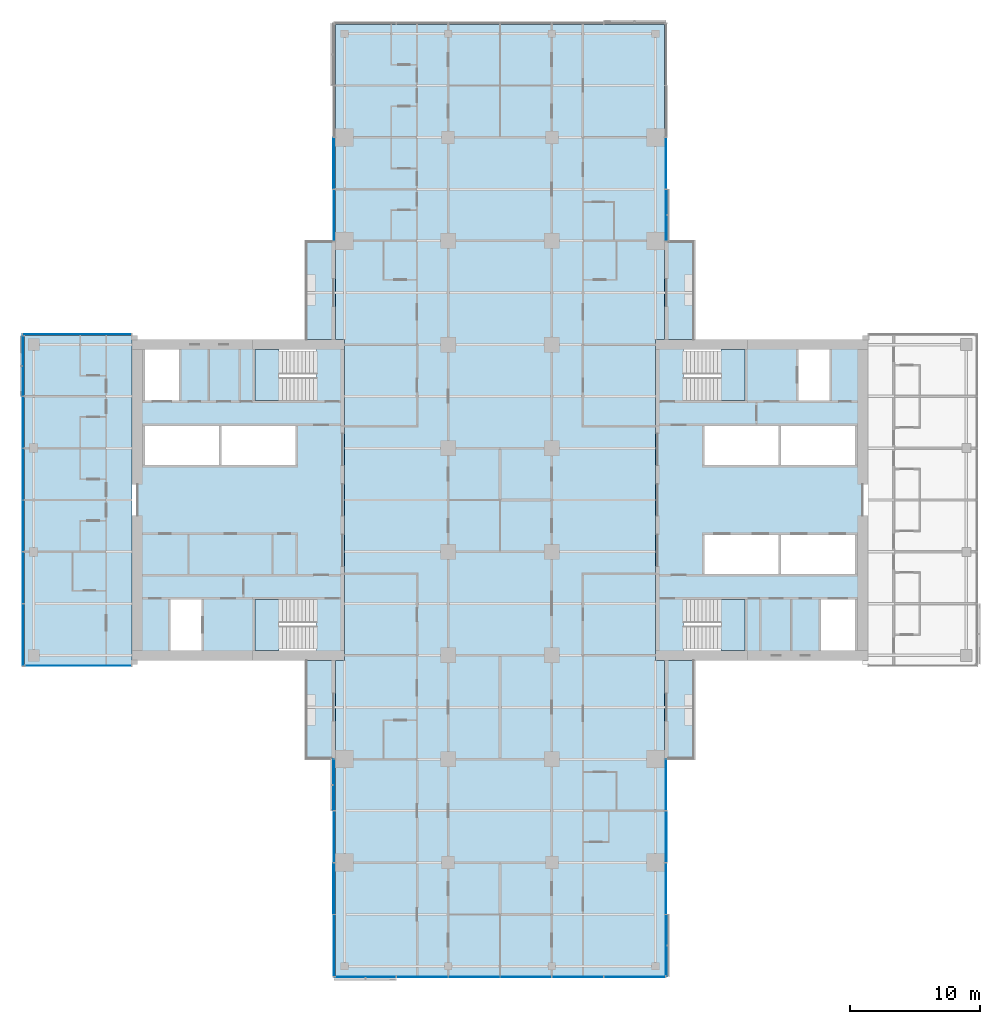
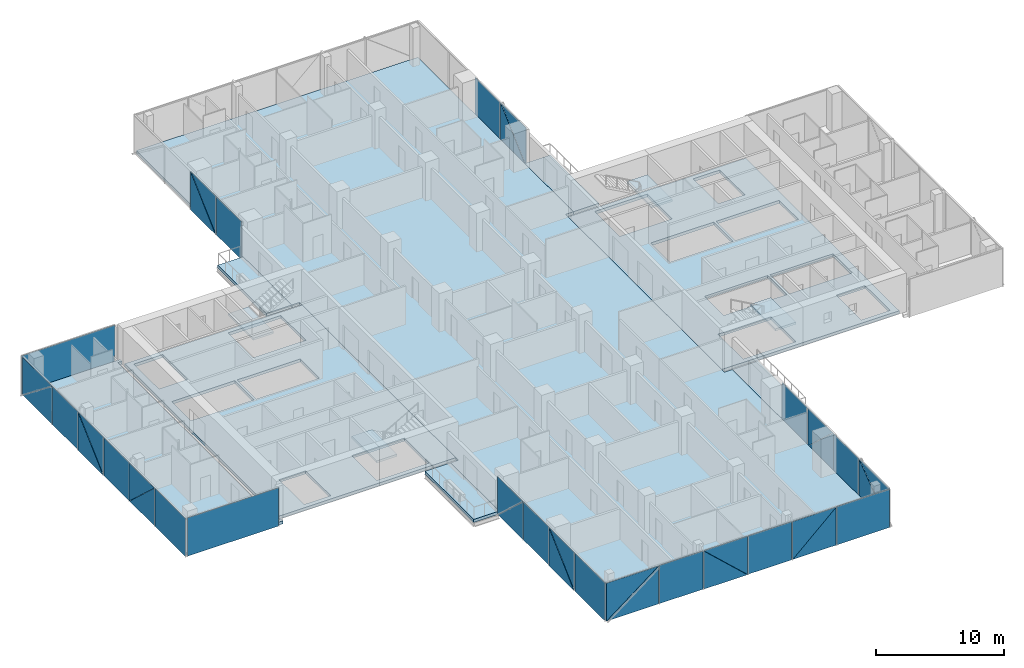
# One storey, part 13 of 27: 38 plates, 12 slabs, 12 elements without a shape of their own.
"""IFC4 building model written with IfcOpenShell, lengths in metres."""

from ifc_helpers import new_model, si_unit, direction, frame, origin, place, context, subcontext, project, spatial, polyline, outline, extrude, material, layer, layer_set, type_object, element, aggregate, save


model = new_model("IFC4")

# Units and contexts
model_context = context("Model", 3, precision=1e-05, world=origin(), true_north=direction((0.0, 1.0)))
body_context = subcontext(model_context, "Body", "Model", "MODEL_VIEW")
ifc_project = project(units=[si_unit("LENGTHUNIT", "METRE"), si_unit("AREAUNIT", "SQUARE_METRE"), si_unit("VOLUMEUNIT", "CUBIC_METRE"), si_unit("PLANEANGLEUNIT", "RADIAN"), si_unit("MASSUNIT", "GRAM", prefix="KILO")], contexts=[model_context])

# Site, building, storey
site_placement = place(None, origin())
site = spatial("IfcSite", under=ifc_project, at=site_placement, CompositionType="ELEMENT")
building_placement = place(site_placement, origin())
building = spatial("IfcBuilding", under=site, at=building_placement, Name="Crosswind Convention Tower", CompositionType="ELEMENT")
storey_placement = place(building_placement, frame((0.0, 0.0, 86.800048828125)))
storey = spatial("IfcBuildingStorey", under=building, at=storey_placement, Name="L16", CompositionType="ELEMENT", Elevation=86.800048828125)

# Slabs
ifc_material_1 = material(Name="Concrete C40/50", Category="concrete")
ifc_layer_1 = layer(ifc_material_1, 0.280029296875)
ifc_layer_set_1 = layer_set([ifc_layer_1], Name="Concrete C40/50")
slab_type_1 = type_object("IfcSlabType", Name="BALCONY SLAB 280", PredefinedType="USERDEFINED", material=ifc_layer_set_1)
slab_1_placement = place(storey_placement, frame((0.0, 0.0, -0.280029296875)))
element("IfcSlab", 1, at=slab_1_placement, inside=storey, type_object=slab_type_1, Name="BALCONY L16 N-E.1-1", ObjectType="BALCONY", PredefinedType="USERDEFINED", context=body_context, shape_type="SweptSolid", body=[
    extrude(outline(polyline([(137.699951171875, 112.39990234375), (137.699951171875, 120.0), (140.0, 120.0), (140.0, 112.39990234375), (137.699951171875, 112.39990234375)])), origin(), (0.0, 0.0, 1.0), 0.280029296875),
])
slab_2_placement = place(storey_placement, frame((0.0, 0.0, -0.280029296875)))
element("IfcSlab", 2, at=slab_2_placement, inside=storey, type_object=slab_type_1, Name="BALCONY L16 N-W.1-3", ObjectType="BALCONY", PredefinedType="USERDEFINED", context=body_context, shape_type="SweptSolid", body=[
    extrude(outline(polyline([(112.300048828125, 120.0), (112.300048828125, 112.39990234375), (110.0, 112.39990234375), (110.0, 120.0), (112.300048828125, 120.0)])), origin(), (0.0, 0.0, 1.0), 0.280029296875),
])
slab_3_placement = place(storey_placement, frame((0.0, 0.0, -0.280029296875)))
element("IfcSlab", 3, at=slab_3_placement, inside=storey, type_object=slab_type_1, Name="BALCONY L16 S-W.1-1", ObjectType="BALCONY", PredefinedType="USERDEFINED", context=body_context, shape_type="SweptSolid", body=[
    extrude(outline(polyline([(112.300048828125, 87.60009765625), (112.300048828125, 80.0), (110.0, 80.0), (110.0, 87.60009765625), (112.300048828125, 87.60009765625)])), origin(), (0.0, 0.0, 1.0), 0.280029296875),
])
slab_4_placement = place(storey_placement, frame((0.0, 0.0, -0.280029296875)))
element("IfcSlab", 4, at=slab_4_placement, inside=storey, type_object=slab_type_1, Name="BALCONY L16 S-E.1-3", ObjectType="BALCONY", PredefinedType="USERDEFINED", context=body_context, shape_type="SweptSolid", body=[
    extrude(outline(polyline([(137.699951171875, 80.0), (137.699951171875, 87.60009765625), (140.0, 87.60009765625), (140.0, 80.0), (137.699951171875, 80.0)])), origin(), (0.0, 0.0, 1.0), 0.280029296875),
])
ifc_layer_2 = layer(ifc_material_1, 0.280029296875)
ifc_layer_set_2 = layer_set([ifc_layer_2], Name="Concrete C40/50")
slab_type_2 = type_object("IfcSlabType", Name="Composite floor slab 280", PredefinedType="FLOOR", material=ifc_layer_set_2)
slab_5_placement = place(storey_placement, frame((0.0, 0.0, -0.280029296875)))
element("IfcSlab", 5, at=slab_5_placement, inside=storey, type_object=slab_type_2, Name="Floor slab L16 part 1", PredefinedType="FLOOR", context=body_context, shape_type="SweptSolid", body=[
    extrude(outline(polyline([(97.0, 87.300048828125), (89.0, 87.300048828125), (88.300048828125, 87.300048828125), (88.300048828125, 88.0), (88.300048828125, 112.0), (88.300048828125, 112.699951171875), (89.0, 112.699951171875), (97.0, 112.699951171875), (97.0, 112.39990234375), (96.60009765625, 112.39990234375), (96.60009765625, 87.60009765625), (97.0, 87.60009765625), (97.0, 87.300048828125)])), origin(), (0.0, 0.0, 1.0), 0.280029296875),
])
slab_6_placement = place(storey_placement, frame((0.0, 0.0, -0.280029296875)))
element("IfcSlab", 6, at=slab_6_placement, inside=storey, type_object=slab_type_2, Name="Floor slab L16 part 2", PredefinedType="FLOOR", context=body_context, shape_type="SweptSolid", body=[
    extrude(outline(polyline([(112.300048828125, 87.60009765625), (113.0, 87.60009765625), (113.0, 112.39990234375), (112.300048828125, 112.39990234375), (112.300048828125, 136.0), (112.300048828125, 136.699951171875), (113.0, 136.699951171875), (137.0, 136.699951171875), (137.699951171875, 136.699951171875), (137.699951171875, 136.0), (137.699951171875, 112.39990234375), (137.0, 112.39990234375), (137.0, 87.60009765625), (137.699951171875, 87.60009765625), (137.699951171875, 64.0), (137.699951171875, 63.300048828125), (137.0, 63.300048828125), (113.0, 63.300048828125), (112.300048828125, 63.300048828125), (112.300048828125, 64.0), (112.300048828125, 87.60009765625)])), origin(), (0.0, 0.0, 1.0), 0.280029296875),
])
ifc_layer_3 = layer(ifc_material_1, 0.280029296875)
ifc_layer_set_3 = layer_set([ifc_layer_3], Name="Concrete C40/50")
slab_type_3 = type_object("IfcSlabType", Name="Concrete core floor slab 280", PredefinedType="FLOOR", material=ifc_layer_set_3)
slab_7_placement = place(storey_placement, frame((0.0, 0.0, -0.280029296875)))
element("IfcSlab", 7, at=slab_7_placement, inside=storey, type_object=slab_type_3, Name="Core floor slab E L16", PredefinedType="FLOOR", context=body_context, shape_type="SweptSolid", body=[
    extrude(outline(polyline([(137.0, 88.0), (153.0, 88.0), (153.0, 112.0), (137.0, 112.0), (137.0, 88.0)]), holes=[polyline([(146.5, 102.699951171875), (146.5, 105.699951171875), (140.800048828125, 105.699951171875), (140.800048828125, 102.699951171875), (146.5, 102.699951171875)]), polyline([(152.39990234375, 102.699951171875), (152.39990234375, 105.699951171875), (146.699951171875, 105.699951171875), (146.699951171875, 102.699951171875), (152.39990234375, 102.699951171875)]), polyline([(146.5, 94.300048828125), (146.5, 97.300048828125), (140.800048828125, 97.300048828125), (140.800048828125, 94.300048828125), (146.5, 94.300048828125)]), polyline([(152.39990234375, 94.300048828125), (152.39990234375, 97.300048828125), (146.699951171875, 97.300048828125), (146.699951171875, 94.300048828125), (152.39990234375, 94.300048828125)]), polyline([(150.449951171875, 107.699951171875), (150.449951171875, 111.60009765625), (148.050048828125, 111.60009765625), (148.050048828125, 107.699951171875), (150.449951171875, 107.699951171875)]), polyline([(152.39990234375, 88.39990234375), (152.39990234375, 92.300048828125), (149.800048828125, 92.300048828125), (149.800048828125, 88.39990234375), (152.39990234375, 88.39990234375)]), polyline([(143.89990234375, 107.699951171875), (143.89990234375, 111.60009765625), (139.14990234375, 111.60009765625), (139.14990234375, 107.699951171875), (143.89990234375, 107.699951171875)]), polyline([(143.89990234375, 88.39990234375), (143.89990234375, 92.300048828125), (139.14990234375, 92.300048828125), (139.14990234375, 88.39990234375), (143.89990234375, 88.39990234375)])]), origin(), (0.0, 0.0, 1.0), 0.280029296875),
])
slab_8_placement = place(storey_placement, frame((0.0, 0.0, -0.280029296875)))
element("IfcSlab", 8, at=slab_8_placement, inside=storey, type_object=slab_type_3, Name="Core floor slab W L16", PredefinedType="FLOOR", context=body_context, shape_type="SweptSolid", body=[
    extrude(outline(polyline([(97.0, 88.0), (113.0, 88.0), (113.0, 112.0), (97.0, 112.0), (97.0, 88.0)]), holes=[polyline([(109.199951171875, 102.699951171875), (109.199951171875, 105.699951171875), (103.5, 105.699951171875), (103.5, 102.699951171875), (109.199951171875, 102.699951171875)]), polyline([(103.300048828125, 102.699951171875), (103.300048828125, 105.699951171875), (97.60009765625, 105.699951171875), (97.60009765625, 102.699951171875), (103.300048828125, 102.699951171875)]), polyline([(101.949951171875, 88.39990234375), (101.949951171875, 92.300048828125), (99.550048828125, 92.300048828125), (99.550048828125, 88.39990234375), (101.949951171875, 88.39990234375)]), polyline([(100.199951171875, 107.699951171875), (100.199951171875, 111.60009765625), (97.60009765625, 111.60009765625), (97.60009765625, 107.699951171875), (100.199951171875, 107.699951171875)]), polyline([(110.85009765625, 88.39990234375), (110.85009765625, 92.300048828125), (106.10009765625, 92.300048828125), (106.10009765625, 88.39990234375), (110.85009765625, 88.39990234375)]), polyline([(110.85009765625, 107.699951171875), (110.85009765625, 111.60009765625), (106.10009765625, 111.60009765625), (106.10009765625, 107.699951171875), (110.85009765625, 107.699951171875)])]), origin(), (0.0, 0.0, 1.0), 0.280029296875),
])

# Stair, slab
stair_type = type_object("IfcStairType", Name="Exit stair 1800 wide, 2 flights of 11 risers", PredefinedType="HALF_TURN_STAIR", material=ifc_material_1)
stair_1_placement = place(storey_placement, origin())
stair_1 = element("IfcStair", 9, at=stair_1_placement, inside=storey, type_object=stair_type, Name="Exit stair ST1 L16", ObjectType="ST5", PredefinedType="HALF_TURN_STAIR")
ifc_layer_4 = layer(ifc_material_1, 0.199951171875)
ifc_layer_set_4 = layer_set([ifc_layer_4], Name="Concrete C40/50")
slab_type_4 = type_object("IfcSlabType", Name="Stair landing 200", PredefinedType="LANDING", material=ifc_layer_set_4)
slab_9_placement = place(storey_placement, frame((0.0, 0.0, 1.64990234375)))
slab_9 = element("IfcSlab", 10, at=slab_9_placement, type_object=slab_type_4, Name="ST1 landing 1", PredefinedType="LANDING", context=body_context, shape_type="SweptSolid", body=[
    extrude(outline(polyline([(143.89990234375, 107.699951171875), (143.89990234375, 111.60009765625), (142.050048828125, 111.60009765625), (142.050048828125, 107.699951171875), (143.89990234375, 107.699951171875)])), origin(), (0.0, 0.0, 1.0), 0.199951171875),
])
aggregate(stair_1, [slab_9])

stair_2_placement = place(storey_placement, origin())
stair_2 = element("IfcStair", 11, at=stair_2_placement, inside=storey, type_object=stair_type, Name="Exit stair ST2 L16", ObjectType="ST5", PredefinedType="HALF_TURN_STAIR")
slab_10_placement = place(storey_placement, frame((0.0, 0.0, 1.64990234375)))
slab_10 = element("IfcSlab", 12, at=slab_10_placement, type_object=slab_type_4, Name="ST2 landing 1", PredefinedType="LANDING", context=body_context, shape_type="SweptSolid", body=[
    extrude(outline(polyline([(143.89990234375, 88.39990234375), (143.89990234375, 92.300048828125), (142.050048828125, 92.300048828125), (142.050048828125, 88.39990234375), (143.89990234375, 88.39990234375)])), origin(), (0.0, 0.0, 1.0), 0.199951171875),
])
aggregate(stair_2, [slab_10])

stair_3_placement = place(storey_placement, origin())
stair_3 = element("IfcStair", 13, at=stair_3_placement, inside=storey, type_object=stair_type, Name="Exit stair ST3 L16", ObjectType="ST5", PredefinedType="HALF_TURN_STAIR")
slab_11_placement = place(storey_placement, frame((0.0, 0.0, 1.64990234375)))
slab_11 = element("IfcSlab", 14, at=slab_11_placement, type_object=slab_type_4, Name="ST3 landing 1", PredefinedType="LANDING", context=body_context, shape_type="SweptSolid", body=[
    extrude(outline(polyline([(107.949951171875, 88.39990234375), (107.949951171875, 92.300048828125), (106.10009765625, 92.300048828125), (106.10009765625, 88.39990234375), (107.949951171875, 88.39990234375)])), origin(), (0.0, 0.0, 1.0), 0.199951171875),
])
aggregate(stair_3, [slab_11])

stair_4_placement = place(storey_placement, origin())
stair_4 = element("IfcStair", 15, at=stair_4_placement, inside=storey, type_object=stair_type, Name="Exit stair ST4 L16", ObjectType="ST5", PredefinedType="HALF_TURN_STAIR")
slab_12_placement = place(storey_placement, frame((0.0, 0.0, 1.64990234375)))
slab_12 = element("IfcSlab", 16, at=slab_12_placement, type_object=slab_type_4, Name="ST4 landing 1", PredefinedType="LANDING", context=body_context, shape_type="SweptSolid", body=[
    extrude(outline(polyline([(107.949951171875, 107.699951171875), (107.949951171875, 111.60009765625), (106.10009765625, 111.60009765625), (106.10009765625, 107.699951171875), (107.949951171875, 107.699951171875)])), origin(), (0.0, 0.0, 1.0), 0.199951171875),
])
aggregate(stair_4, [slab_12])

# Curtain wall, plate
ifc_material_2 = material(Name="Aluminium unitised curtain wall", Category="aluminium")
curtain_wall_type_1 = type_object("IfcCurtainWallType", Name="CORE END SLOT WALL 160", PredefinedType="USERDEFINED", material=ifc_material_2)
curtain_wall_1_placement = place(storey_placement, origin())
curtain_wall_1 = element("IfcCurtainWall", 17, at=curtain_wall_1_placement, inside=storey, type_object=curtain_wall_type_1, Name="CW6 L16 W-N.2-1 slot", ObjectType="UNITISED", PredefinedType="USERDEFINED")
ifc_material_3 = material(Name="Laminated insulating glass unit", Category="glass")
ifc_layer_5 = layer(ifc_material_3, 0.02587890625)
ifc_layer_set_5 = layer_set([ifc_layer_5], Name="TRIANGULAR GLASS PANEL 26")
plate_type_1 = type_object("IfcPlateType", Name="TRIANGULAR GLASS PANEL 26", PredefinedType="CURTAIN_PANEL", material=ifc_layer_set_5)
plate_1_placement = place(storey_placement, frame((96.550048828125, 112.806640625, -0.280029296875), z_axis=(0.0, 0.999999919464, 0.00040133776), x_axis=(-1.0, 0.0, 0.0)))
plate_1 = element("IfcPlate", 18, at=plate_1_placement, type_object=plate_type_1, Name="CW6 panel 1.1", PredefinedType="CURTAIN_PANEL", context=body_context, shape_type="SweptSolid", body=[
    extrude(outline(polyline([(0.0, 0.0), (8.400146484375, 0.0), (8.400146484375, 3.649902637698567), (0.0, 3.649902637698567), (0.0, 0.0)])), origin(), (0.0, 0.0, -1.0), 0.02587890625),
])
aggregate(curtain_wall_1, [plate_1])

curtain_wall_2_placement = place(storey_placement, origin())
curtain_wall_2 = element("IfcCurtainWall", 19, at=curtain_wall_2_placement, inside=storey, type_object=curtain_wall_type_1, Name="CW6 L16 W-S.1-1 slot", ObjectType="UNITISED", PredefinedType="USERDEFINED")
plate_2_placement = place(storey_placement, frame((88.35009765625, 87.193359375, -0.280029296875), z_axis=(0.0, -0.999999919464, 0.00040133776), x_axis=(1.0, 0.0, 0.0)))
plate_2 = element("IfcPlate", 20, at=plate_2_placement, type_object=plate_type_1, Name="CW6 panel 1.1", PredefinedType="CURTAIN_PANEL", context=body_context, shape_type="SweptSolid", body=[
    extrude(outline(polyline([(0.0, 0.0), (8.199951171875, 0.0), (8.199951171875, 3.6499026376985664), (0.0, 3.6499026376985664), (0.0, 0.0)])), origin(), (0.0, 0.0, -1.0), 0.02587890625),
])
aggregate(curtain_wall_2, [plate_2])

# Curtain wall, plates
curtain_wall_type_2 = type_object("IfcCurtainWallType", Name="HOTEL UNITISED WALL 200", PredefinedType="USERDEFINED", material=ifc_material_2)
curtain_wall_3_placement = place(storey_placement, origin())
curtain_wall_3 = element("IfcCurtainWall", 21, at=curtain_wall_3_placement, inside=storey, type_object=curtain_wall_type_2, Name="CW2 L16 N-E 1", ObjectType="UNITISED", PredefinedType="USERDEFINED")
ifc_layer_6 = layer(ifc_material_3, 0.028076171875)
ifc_layer_set_6 = layer_set([ifc_layer_6], Name="TRIANGULAR GLASS PANEL 28")
plate_type_2 = type_object("IfcPlateType", Name="TRIANGULAR GLASS PANEL 28", PredefinedType="CURTAIN_PANEL", material=ifc_layer_set_6)
plate_3_placement = place(storey_placement, frame((137.82861328125, 123.967529296875, -0.280029296875), z_axis=(0.999999943186, 0.0, 0.000337086208), x_axis=(-0.000337086208, 0.0, 0.999999943186)))
plate_3 = element("IfcPlate", 22, at=plate_3_placement, type_object=plate_type_2, Name="CW2 panel 1.1", PredefinedType="CURTAIN_PANEL", context=body_context, shape_type="SweptSolid", body=[
    extrude(outline(polyline([(0.0, 0.0), (3.6213380963660997, 0.0), (0.0, 3.920410156250001), (0.0, 0.0)])), origin(), (0.0, 0.0, -1.0), 0.028076171875),
])
plate_4_placement = place(storey_placement, frame((137.857177734375, 120.032470703125, 3.35498046875), z_axis=(0.999999918188, 0.0, 0.000404503439), x_axis=(0.000404503439, 0.0, -0.999999918188)))
plate_4 = element("IfcPlate", 23, at=plate_4_placement, type_object=plate_type_2, Name="CW2 panel 1.2", PredefinedType="CURTAIN_PANEL", context=body_context, shape_type="SweptSolid", body=[
    extrude(outline(polyline([(0.0, 0.0), (3.6213381868921797, 0.0), (0.0, 3.92041015625), (0.0, 0.0)])), origin(), (0.0, 0.0, -1.0), 0.028076171875),
])
plate_5_placement = place(storey_placement, frame((137.82861328125, 124.032470703125, -0.280029296875), z_axis=(0.999999943613, 0.0, 0.00033581837), x_axis=(0.0, 1.0, 0.0)))
plate_5 = element("IfcPlate", 24, at=plate_5_placement, type_object=plate_type_2, Name="CW2 panel 2.1", PredefinedType="CURTAIN_PANEL", context=body_context, shape_type="SweptSolid", body=[
    extrude(outline(polyline([(0.0, 0.0), (3.93505859375, 0.0), (3.93505859375, 3.635009970592273), (0.0, 3.635009970592273), (0.0, 0.0)])), origin(), (0.0, 0.0, -1.0), 0.028076171875),
])
aggregate(curtain_wall_3, [plate_3, plate_4, plate_5])

curtain_wall_4_placement = place(storey_placement, origin())
curtain_wall_4 = element("IfcCurtainWall", 25, at=curtain_wall_4_placement, inside=storey, type_object=curtain_wall_type_2, Name="CW2 L16 N-W 1", ObjectType="UNITISED", PredefinedType="USERDEFINED")
plate_6_placement = place(storey_placement, frame((112.172607421875, 124.032470703125, 3.35498046875), z_axis=(-0.999999943186, 0.0, 0.000337086208), x_axis=(0.0, 1.0, 0.0)))
plate_6 = element("IfcPlate", 26, at=plate_6_placement, type_object=plate_type_2, Name="CW2 panel 3.1", PredefinedType="CURTAIN_PANEL", context=body_context, shape_type="SweptSolid", body=[
    extrude(outline(polyline([(0.0, 0.0), (3.92041015625, 0.0), (0.0, 3.6213380963660997), (0.0, 0.0)])), origin(), (0.0, 0.0, -1.0), 0.028076171875),
])
plate_7_placement = place(storey_placement, frame((112.141357421875, 127.967529296875, -0.280029296875), z_axis=(-0.999999918188, 0.0, 0.000404503439), x_axis=(0.0, -1.0, 0.0)))
plate_7 = element("IfcPlate", 27, at=plate_7_placement, type_object=plate_type_2, Name="CW2 panel 3.2", PredefinedType="CURTAIN_PANEL", context=body_context, shape_type="SweptSolid", body=[
    extrude(outline(polyline([(0.0, 0.0), (3.92041015625, 0.0), (0.0, 3.6213381868921792), (0.0, 0.0)])), origin(), (0.0, 0.0, -1.0), 0.028076171875),
])
plate_8_placement = place(storey_placement, frame((112.17138671875, 123.967529296875, -0.280029296875), z_axis=(-0.999999943613, 0.0, 0.00033581837), x_axis=(0.0, -1.0, 0.0)))
plate_8 = element("IfcPlate", 28, at=plate_8_placement, type_object=plate_type_2, Name="CW2 panel 4.1", PredefinedType="CURTAIN_PANEL", context=body_context, shape_type="SweptSolid", body=[
    extrude(outline(polyline([(0.0, 0.0), (3.93505859375, 0.0), (3.93505859375, 3.635009970592273), (0.0, 3.635009970592273), (0.0, 0.0)])), origin(), (0.0, 0.0, -1.0), 0.028076171875),
])
aggregate(curtain_wall_4, [plate_6, plate_7, plate_8])

curtain_wall_5_placement = place(storey_placement, origin())
curtain_wall_5 = element("IfcCurtainWall", 29, at=curtain_wall_5_placement, inside=storey, type_object=curtain_wall_type_2, Name="CW2 L16 W-TIP 1", ObjectType="UNITISED", PredefinedType="USERDEFINED")
plate_9_placement = place(storey_placement, frame((88.17138671875, 108.032470703125, -0.280029296875), z_axis=(-0.999999943217, 0.0, 0.00033699533), x_axis=(0.00033699533, 0.0, 0.999999943217)))
plate_9 = element("IfcPlate", 30, at=plate_9_placement, type_object=plate_type_2, Name="CW2 panel 1.1", PredefinedType="CURTAIN_PANEL", context=body_context, shape_type="SweptSolid", body=[
    extrude(outline(polyline([(0.0, 0.0), (3.6223146588106325, 0.0), (0.0, 4.58642578125), (0.0, 0.0)])), origin(), (0.0, 0.0, -1.0), 0.028076171875),
])
plate_10_placement = place(storey_placement, frame((88.142822265625, 112.635009765625, 3.35498046875), z_axis=(-0.999999918233, 0.0, 0.000404394386), x_axis=(-0.000404394386, 0.0, -0.999999918233)))
plate_10 = element("IfcPlate", 31, at=plate_10_placement, type_object=plate_type_2, Name="CW2 panel 1.2", PredefinedType="CURTAIN_PANEL", context=body_context, shape_type="SweptSolid", body=[
    extrude(outline(polyline([(0.0, 0.0), (3.6223147493123067, 0.0), (0.0, 4.58642578125), (0.0, 0.0)])), origin(), (0.0, 0.0, -1.0), 0.028076171875),
])
plate_11_placement = place(storey_placement, frame((88.17138671875, 107.967529296875, -0.280029296875), z_axis=(-0.999999943613, 0.0, 0.00033581837), x_axis=(0.0, -1.0, 0.0)))
plate_11 = element("IfcPlate", 32, at=plate_11_placement, type_object=plate_type_2, Name="CW2 panel 2.1", PredefinedType="CURTAIN_PANEL", context=body_context, shape_type="SweptSolid", body=[
    extrude(outline(polyline([(0.0, 0.0), (3.93505859375, 0.0), (3.93505859375, 3.635009970592273), (0.0, 3.635009970592273), (0.0, 0.0)])), origin(), (0.0, 0.0, -1.0), 0.028076171875),
])
plate_12_placement = place(storey_placement, frame((88.172607421875, 100.032470703125, 3.35498046875), z_axis=(-0.999999943186, 0.0, 0.000337086208), x_axis=(0.0, 1.0, 0.0)))
plate_12 = element("IfcPlate", 33, at=plate_12_placement, type_object=plate_type_2, Name="CW2 panel 3.1", PredefinedType="CURTAIN_PANEL", context=body_context, shape_type="SweptSolid", body=[
    extrude(outline(polyline([(0.0, 0.0), (3.92041015625, 0.0), (0.0, 3.6213380963660997), (0.0, 0.0)])), origin(), (0.0, 0.0, -1.0), 0.028076171875),
])
plate_13_placement = place(storey_placement, frame((88.141357421875, 103.967529296875, -0.280029296875), z_axis=(-0.999999918188, 0.0, 0.000404503439), x_axis=(0.0, -1.0, 0.0)))
plate_13 = element("IfcPlate", 34, at=plate_13_placement, type_object=plate_type_2, Name="CW2 panel 3.2", PredefinedType="CURTAIN_PANEL", context=body_context, shape_type="SweptSolid", body=[
    extrude(outline(polyline([(0.0, 0.0), (3.92041015625, 0.0), (0.0, 3.6213381868921792), (0.0, 0.0)])), origin(), (0.0, 0.0, -1.0), 0.028076171875),
])
plate_14_placement = place(storey_placement, frame((88.17138671875, 99.967529296875, -0.280029296875), z_axis=(-0.999999943613, 0.0, 0.00033581837), x_axis=(0.0, -1.0, 0.0)))
plate_14 = element("IfcPlate", 35, at=plate_14_placement, type_object=plate_type_2, Name="CW2 panel 4.1", PredefinedType="CURTAIN_PANEL", context=body_context, shape_type="SweptSolid", body=[
    extrude(outline(polyline([(0.0, 0.0), (3.93505859375, 0.0), (3.93505859375, 3.635009970592273), (0.0, 3.635009970592273), (0.0, 0.0)])), origin(), (0.0, 0.0, -1.0), 0.028076171875),
])
plate_15_placement = place(storey_placement, frame((88.17138671875, 92.032470703125, -0.280029296875), z_axis=(-0.999999943186, 0.0, 0.000337086208), x_axis=(0.000337086208, 0.0, 0.999999943186)))
plate_15 = element("IfcPlate", 36, at=plate_15_placement, type_object=plate_type_2, Name="CW2 panel 5.1", PredefinedType="CURTAIN_PANEL", context=body_context, shape_type="SweptSolid", body=[
    extrude(outline(polyline([(0.0, 0.0), (3.6213380963660997, 0.0), (0.0, 3.920410156250001), (0.0, 0.0)])), origin(), (0.0, 0.0, -1.0), 0.028076171875),
])
plate_16_placement = place(storey_placement, frame((88.142822265625, 95.967529296875, 3.35498046875), z_axis=(-0.999999918188, 0.0, 0.000404503439), x_axis=(-0.000404503439, 0.0, -0.999999918188)))
plate_16 = element("IfcPlate", 37, at=plate_16_placement, type_object=plate_type_2, Name="CW2 panel 5.2", PredefinedType="CURTAIN_PANEL", context=body_context, shape_type="SweptSolid", body=[
    extrude(outline(polyline([(0.0, 0.0), (3.6213381868921797, 0.0), (0.0, 3.92041015625), (0.0, 0.0)])), origin(), (0.0, 0.0, -1.0), 0.028076171875),
])
plate_17_placement = place(storey_placement, frame((88.17138671875, 91.967529296875, -0.280029296875), z_axis=(-0.999999943613, 0.0, 0.00033581837), x_axis=(0.0, -1.0, 0.0)))
plate_17 = element("IfcPlate", 38, at=plate_17_placement, type_object=plate_type_2, Name="CW2 panel 6.1", PredefinedType="CURTAIN_PANEL", context=body_context, shape_type="SweptSolid", body=[
    extrude(outline(polyline([(0.0, 0.0), (4.762451171875, 0.0), (4.762451171875, 3.635009970592273), (0.0, 3.635009970592273), (0.0, 0.0)])), origin(), (0.0, 0.0, -1.0), 0.028076171875),
])
aggregate(curtain_wall_5, [plate_9, plate_10, plate_11, plate_12, plate_13, plate_14, plate_15, plate_16, plate_17])

curtain_wall_6_placement = place(storey_placement, origin())
curtain_wall_6 = element("IfcCurtainWall", 39, at=curtain_wall_6_placement, inside=storey, type_object=curtain_wall_type_2, Name="CW2 L16 S-W 1", ObjectType="UNITISED", PredefinedType="USERDEFINED")
plate_18_placement = place(storey_placement, frame((112.17138671875, 76.032470703125, -0.280029296875), z_axis=(-0.999999943186, 0.0, 0.000337086208), x_axis=(0.000337086208, 0.0, 0.999999943186)))
plate_18 = element("IfcPlate", 40, at=plate_18_placement, type_object=plate_type_2, Name="CW2 panel 1.1", PredefinedType="CURTAIN_PANEL", context=body_context, shape_type="SweptSolid", body=[
    extrude(outline(polyline([(0.0, 0.0), (3.6213380963660997, 0.0), (0.0, 3.920410156250001), (0.0, 0.0)])), origin(), (0.0, 0.0, -1.0), 0.028076171875),
])
plate_19_placement = place(storey_placement, frame((112.142822265625, 79.967529296875, 3.35498046875), z_axis=(-0.999999918188, 0.0, 0.000404503439), x_axis=(-0.000404503439, 0.0, -0.999999918188)))
plate_19 = element("IfcPlate", 41, at=plate_19_placement, type_object=plate_type_2, Name="CW2 panel 1.2", PredefinedType="CURTAIN_PANEL", context=body_context, shape_type="SweptSolid", body=[
    extrude(outline(polyline([(0.0, 0.0), (3.6213381868921797, 0.0), (0.0, 3.92041015625), (0.0, 0.0)])), origin(), (0.0, 0.0, -1.0), 0.028076171875),
])
plate_20_placement = place(storey_placement, frame((112.17138671875, 75.967529296875, -0.280029296875), z_axis=(-0.999999943613, 0.0, 0.00033581837), x_axis=(0.0, -1.0, 0.0)))
plate_20 = element("IfcPlate", 42, at=plate_20_placement, type_object=plate_type_2, Name="CW2 panel 2.1", PredefinedType="CURTAIN_PANEL", context=body_context, shape_type="SweptSolid", body=[
    extrude(outline(polyline([(0.0, 0.0), (3.93505859375, 0.0), (3.93505859375, 3.635009970592273), (0.0, 3.635009970592273), (0.0, 0.0)])), origin(), (0.0, 0.0, -1.0), 0.028076171875),
])
plate_21_placement = place(storey_placement, frame((112.172607421875, 68.032470703125, 3.35498046875), z_axis=(-0.999999943186, 0.0, 0.000337086208), x_axis=(0.0, 1.0, 0.0)))
plate_21 = element("IfcPlate", 43, at=plate_21_placement, type_object=plate_type_2, Name="CW2 panel 3.1", PredefinedType="CURTAIN_PANEL", context=body_context, shape_type="SweptSolid", body=[
    extrude(outline(polyline([(0.0, 0.0), (3.92041015625, 0.0), (0.0, 3.6213380963660997), (0.0, 0.0)])), origin(), (0.0, 0.0, -1.0), 0.028076171875),
])
plate_22_placement = place(storey_placement, frame((112.141357421875, 71.967529296875, -0.280029296875), z_axis=(-0.999999918188, 0.0, 0.000404503439), x_axis=(0.0, -1.0, 0.0)))
plate_22 = element("IfcPlate", 44, at=plate_22_placement, type_object=plate_type_2, Name="CW2 panel 3.2", PredefinedType="CURTAIN_PANEL", context=body_context, shape_type="SweptSolid", body=[
    extrude(outline(polyline([(0.0, 0.0), (3.92041015625, 0.0), (0.0, 3.6213381868921792), (0.0, 0.0)])), origin(), (0.0, 0.0, -1.0), 0.028076171875),
])
plate_23_placement = place(storey_placement, frame((112.17138671875, 67.967529296875, -0.280029296875), z_axis=(-0.999999943613, 0.0, 0.00033581837), x_axis=(0.0, -1.0, 0.0)))
plate_23 = element("IfcPlate", 45, at=plate_23_placement, type_object=plate_type_2, Name="CW2 panel 4.1", PredefinedType="CURTAIN_PANEL", context=body_context, shape_type="SweptSolid", body=[
    extrude(outline(polyline([(0.0, 0.0), (4.735107421875, 0.0), (4.735107421875, 3.6350099705922725), (0.0, 3.6350099705922725), (0.0, 0.0)])), origin(), (0.0, 0.0, -1.0), 0.028076171875),
])
aggregate(curtain_wall_6, [plate_18, plate_19, plate_20, plate_21, plate_22, plate_23])

curtain_wall_7_placement = place(storey_placement, origin())
curtain_wall_7 = element("IfcCurtainWall", 46, at=curtain_wall_7_placement, inside=storey, type_object=curtain_wall_type_2, Name="CW2 L16 S-TIP 1", ObjectType="UNITISED", PredefinedType="USERDEFINED")
plate_24_placement = place(storey_placement, frame((116.967529296875, 63.17138671875, -0.280029296875), z_axis=(0.0, -0.999999943217, 0.00033699533), x_axis=(0.0, 0.00033699533, 0.999999943217)))
plate_24 = element("IfcPlate", 47, at=plate_24_placement, type_object=plate_type_2, Name="CW2 panel 1.1", PredefinedType="CURTAIN_PANEL", context=body_context, shape_type="SweptSolid", body=[
    extrude(outline(polyline([(0.0, 0.0), (3.6223146588106325, 0.0), (0.0, 4.718505859374999), (0.0, 0.0)])), origin(), (0.0, 0.0, -1.0), 0.028076171875),
])
plate_25_placement = place(storey_placement, frame((112.232421875, 63.142822265625, 3.35498046875), z_axis=(0.0, -0.999999918233, 0.000404394386), x_axis=(0.0, -0.000404394386, -0.999999918233)))
plate_25 = element("IfcPlate", 48, at=plate_25_placement, type_object=plate_type_2, Name="CW2 panel 1.2", PredefinedType="CURTAIN_PANEL", context=body_context, shape_type="SweptSolid", body=[
    extrude(outline(polyline([(0.0, 0.0), (3.6223147493123067, 0.0), (0.0, 4.71875), (0.0, 0.0)])), origin(), (0.0, 0.0, -1.0), 0.028076171875),
])
plate_26_placement = place(storey_placement, frame((117.032470703125, 63.17138671875, -0.280029296875), z_axis=(0.0, -0.999999943613, 0.00033581837), x_axis=(1.0, 0.0, 0.0)))
plate_26 = element("IfcPlate", 49, at=plate_26_placement, type_object=plate_type_2, Name="CW2 panel 2.1", PredefinedType="CURTAIN_PANEL", context=body_context, shape_type="SweptSolid", body=[
    extrude(outline(polyline([(0.0, 0.0), (3.93505859375, 0.0), (3.93505859375, 3.635009970592273), (0.0, 3.635009970592273), (0.0, 0.0)])), origin(), (0.0, 0.0, -1.0), 0.028076171875),
])
plate_27_placement = place(storey_placement, frame((124.967529296875, 63.172607421875, 3.35498046875), z_axis=(0.0, -0.999999943186, 0.000337086208), x_axis=(-1.0, 0.0, 0.0)))
plate_27 = element("IfcPlate", 50, at=plate_27_placement, type_object=plate_type_2, Name="CW2 panel 3.1", PredefinedType="CURTAIN_PANEL", context=body_context, shape_type="SweptSolid", body=[
    extrude(outline(polyline([(0.0, 0.0), (3.92041015625, 0.0), (0.0, 3.6213380963660997), (0.0, 0.0)])), origin(), (0.0, 0.0, -1.0), 0.028076171875),
])
plate_28_placement = place(storey_placement, frame((121.032470703125, 63.141357421875, -0.280029296875), z_axis=(0.0, -0.999999918188, 0.000404503439), x_axis=(1.0, 0.0, 0.0)))
plate_28 = element("IfcPlate", 51, at=plate_28_placement, type_object=plate_type_2, Name="CW2 panel 3.2", PredefinedType="CURTAIN_PANEL", context=body_context, shape_type="SweptSolid", body=[
    extrude(outline(polyline([(0.0, 0.0), (3.92041015625, 0.0), (0.0, 3.6213381868921792), (0.0, 0.0)])), origin(), (0.0, 0.0, -1.0), 0.028076171875),
])
plate_29_placement = place(storey_placement, frame((125.032470703125, 63.17138671875, -0.280029296875), z_axis=(0.0, -0.999999943613, 0.00033581837), x_axis=(1.0, 0.0, 0.0)))
plate_29 = element("IfcPlate", 52, at=plate_29_placement, type_object=plate_type_2, Name="CW2 panel 4.1", PredefinedType="CURTAIN_PANEL", context=body_context, shape_type="SweptSolid", body=[
    extrude(outline(polyline([(0.0, 0.0), (3.93505859375, 0.0), (3.93505859375, 3.635009970592273), (0.0, 3.635009970592273), (0.0, 0.0)])), origin(), (0.0, 0.0, -1.0), 0.028076171875),
])
plate_30_placement = place(storey_placement, frame((132.967529296875, 63.17138671875, -0.280029296875), z_axis=(0.0, -0.999999943186, 0.000337086208), x_axis=(0.0, 0.000337086208, 0.999999943186)))
plate_30 = element("IfcPlate", 53, at=plate_30_placement, type_object=plate_type_2, Name="CW2 panel 5.1", PredefinedType="CURTAIN_PANEL", context=body_context, shape_type="SweptSolid", body=[
    extrude(outline(polyline([(0.0, 0.0), (3.6213380963660997, 0.0), (0.0, 3.920410156250001), (0.0, 0.0)])), origin(), (0.0, 0.0, -1.0), 0.028076171875),
])
plate_31_placement = place(storey_placement, frame((129.032470703125, 63.142822265625, 3.35498046875), z_axis=(0.0, -0.999999918188, 0.000404503439), x_axis=(0.0, -0.000404503439, -0.999999918188)))
plate_31 = element("IfcPlate", 54, at=plate_31_placement, type_object=plate_type_2, Name="CW2 panel 5.2", PredefinedType="CURTAIN_PANEL", context=body_context, shape_type="SweptSolid", body=[
    extrude(outline(polyline([(0.0, 0.0), (3.6213381868921797, 0.0), (0.0, 3.92041015625), (0.0, 0.0)])), origin(), (0.0, 0.0, -1.0), 0.028076171875),
])
plate_32_placement = place(storey_placement, frame((133.032470703125, 63.17138671875, -0.280029296875), z_axis=(0.0, -0.999999943613, 0.00033581837), x_axis=(1.0, 0.0, 0.0)))
plate_32 = element("IfcPlate", 55, at=plate_32_placement, type_object=plate_type_2, Name="CW2 panel 6.1", PredefinedType="CURTAIN_PANEL", context=body_context, shape_type="SweptSolid", body=[
    extrude(outline(polyline([(0.0, 0.0), (4.735107421875, 0.0), (4.735107421875, 3.6350099705922725), (0.0, 3.6350099705922725), (0.0, 0.0)])), origin(), (0.0, 0.0, -1.0), 0.028076171875),
])
aggregate(curtain_wall_7, [plate_24, plate_25, plate_26, plate_27, plate_28, plate_29, plate_30, plate_31, plate_32])

curtain_wall_8_placement = place(storey_placement, origin())
curtain_wall_8 = element("IfcCurtainWall", 56, at=curtain_wall_8_placement, inside=storey, type_object=curtain_wall_type_2, Name="CW2 L16 S-E 1", ObjectType="UNITISED", PredefinedType="USERDEFINED")
plate_33_placement = place(storey_placement, frame((137.82861328125, 67.967529296875, -0.280029296875), z_axis=(0.999999943217, 0.0, 0.00033699533), x_axis=(-0.00033699533, 0.0, 0.999999943217)))
plate_33 = element("IfcPlate", 57, at=plate_33_placement, type_object=plate_type_2, Name="CW2 panel 1.1", PredefinedType="CURTAIN_PANEL", context=body_context, shape_type="SweptSolid", body=[
    extrude(outline(polyline([(0.0, 0.0), (3.6223146588106325, 0.0), (0.0, 4.718505859374999), (0.0, 0.0)])), origin(), (0.0, 0.0, -1.0), 0.028076171875),
])
plate_34_placement = place(storey_placement, frame((137.857177734375, 63.232421875, 3.35498046875), z_axis=(0.999999918233, 0.0, 0.000404394386), x_axis=(0.000404394386, 0.0, -0.999999918233)))
plate_34 = element("IfcPlate", 58, at=plate_34_placement, type_object=plate_type_2, Name="CW2 panel 1.2", PredefinedType="CURTAIN_PANEL", context=body_context, shape_type="SweptSolid", body=[
    extrude(outline(polyline([(0.0, 0.0), (3.6223147493123067, 0.0), (0.0, 4.71875), (0.0, 0.0)])), origin(), (0.0, 0.0, -1.0), 0.028076171875),
])
plate_35_placement = place(storey_placement, frame((137.82861328125, 68.032470703125, -0.280029296875), z_axis=(0.999999943613, 0.0, 0.00033581837), x_axis=(0.0, 1.0, 0.0)))
plate_35 = element("IfcPlate", 59, at=plate_35_placement, type_object=plate_type_2, Name="CW2 panel 2.1", PredefinedType="CURTAIN_PANEL", context=body_context, shape_type="SweptSolid", body=[
    extrude(outline(polyline([(0.0, 0.0), (3.93505859375, 0.0), (3.93505859375, 3.635009970592273), (0.0, 3.635009970592273), (0.0, 0.0)])), origin(), (0.0, 0.0, -1.0), 0.028076171875),
])
plate_36_placement = place(storey_placement, frame((137.827392578125, 75.967529296875, 3.35498046875), z_axis=(0.999999943186, 0.0, 0.000337086208), x_axis=(0.0, -1.0, 0.0)))
plate_36 = element("IfcPlate", 60, at=plate_36_placement, type_object=plate_type_2, Name="CW2 panel 3.1", PredefinedType="CURTAIN_PANEL", context=body_context, shape_type="SweptSolid", body=[
    extrude(outline(polyline([(0.0, 0.0), (3.92041015625, 0.0), (0.0, 3.6213380963660997), (0.0, 0.0)])), origin(), (0.0, 0.0, -1.0), 0.028076171875),
])
plate_37_placement = place(storey_placement, frame((137.858642578125, 72.032470703125, -0.280029296875), z_axis=(0.999999918188, 0.0, 0.000404503439), x_axis=(0.0, 1.0, 0.0)))
plate_37 = element("IfcPlate", 61, at=plate_37_placement, type_object=plate_type_2, Name="CW2 panel 3.2", PredefinedType="CURTAIN_PANEL", context=body_context, shape_type="SweptSolid", body=[
    extrude(outline(polyline([(0.0, 0.0), (3.92041015625, 0.0), (0.0, 3.6213381868921792), (0.0, 0.0)])), origin(), (0.0, 0.0, -1.0), 0.028076171875),
])
plate_38_placement = place(storey_placement, frame((137.82861328125, 76.032470703125, -0.280029296875), z_axis=(0.999999943613, 0.0, 0.00033581837), x_axis=(0.0, 1.0, 0.0)))
plate_38 = element("IfcPlate", 62, at=plate_38_placement, type_object=plate_type_2, Name="CW2 panel 4.1", PredefinedType="CURTAIN_PANEL", context=body_context, shape_type="SweptSolid", body=[
    extrude(outline(polyline([(0.0, 0.0), (3.93505859375, 0.0), (3.93505859375, 3.635009970592273), (0.0, 3.635009970592273), (0.0, 0.0)])), origin(), (0.0, 0.0, -1.0), 0.028076171875),
])
aggregate(curtain_wall_8, [plate_33, plate_34, plate_35, plate_36, plate_37, plate_38])

save(model, "model.ifc")
